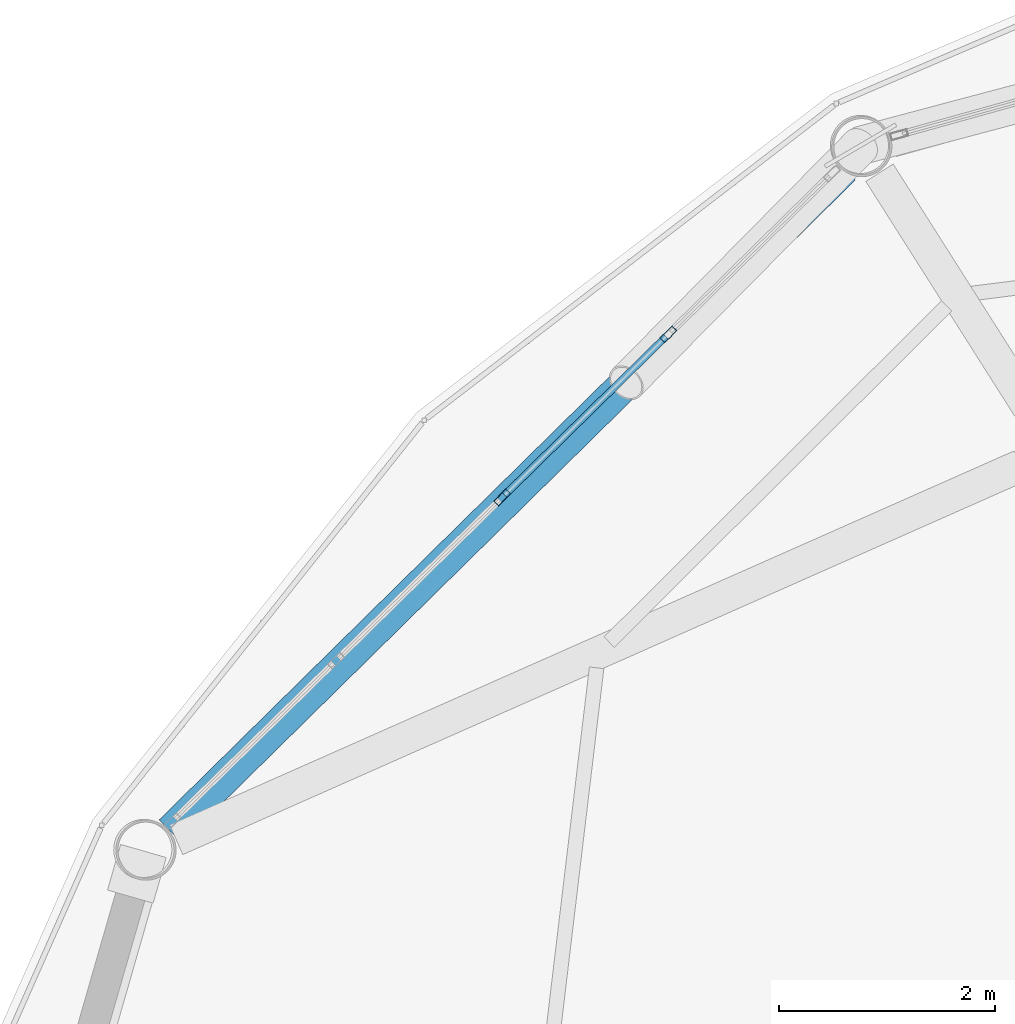
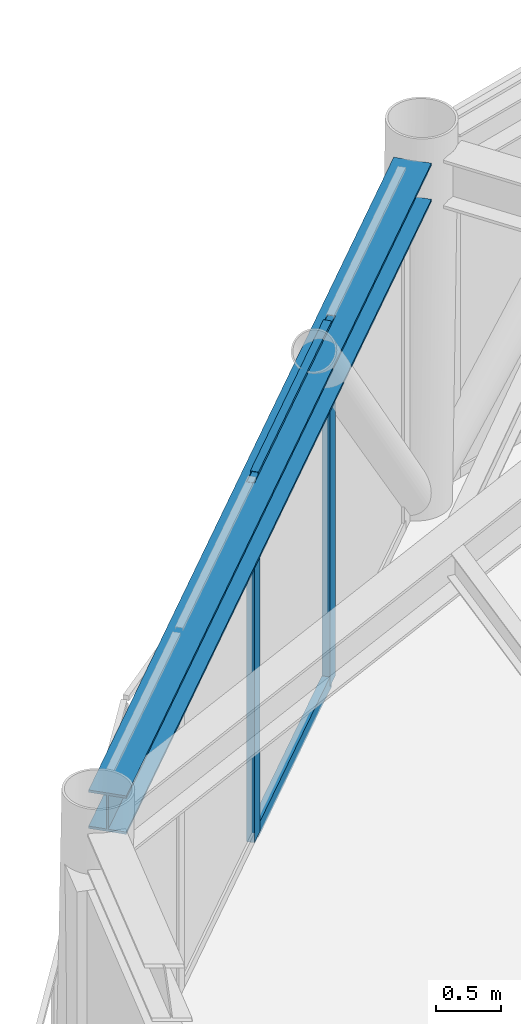
# One storey, part 12 of 25: 4 members, 1 beam, 1 element without a shape of its own.
"""IFC4 building model written with IfcOpenShell, lengths in metres."""

import ifcopenshell
import ifcopenshell.guid

model = None  # the IFC model being written
_history = None  # IfcOwnerHistory: only IFC2X3 demands one
_inside = {}  # id of a spatial element -> (the spatial element, [elements in it])
_under = {}  # id of a project, library or spatial element -> (it, [spatial elements below it])
_declared = {}  # id of a project -> (the project, [libraries it declares])
_typed = {}  # id of a type object -> (the type object, [elements of that type])
_made_of = {}  # id of a material, layer set ... -> (it, [elements and type objects made of it])


def new_model(schema):
    """Start an empty IFC model of exactly this schema.

    Asked for "IFC4X3", IfcOpenShell would pick the latest addendum, in which some entities
    have other attributes; the version numbers below select the first issue.
    IFC2X3 requires an IfcOwnerHistory on every rooted entity: one is made here for all.
    """
    global model, _history
    if schema == "IFC4X3":
        model = ifcopenshell.file(schema_version=(4, 3, 0, 0))
    else:
        model = ifcopenshell.file(schema=schema)
    _inside.clear()
    _under.clear()
    _declared.clear()
    _typed.clear()
    _made_of.clear()
    _history = None
    if model.schema == "IFC2X3":
        org = make("IfcOrganization", Name="unknown")
        user = make(
            "IfcPersonAndOrganization",
            ThePerson=make("IfcPerson", FamilyName="unknown"),
            TheOrganization=org,
        )
        app = make(
            "IfcApplication",
            ApplicationDeveloper=org,
            Version="unknown",
            ApplicationFullName="unknown",
            ApplicationIdentifier="unknown",
        )
        _history = make(
            "IfcOwnerHistory",
            OwningUser=user,
            OwningApplication=app,
            ChangeAction="ADDED",
            CreationDate=0,
        )
    return model


def make(cls, **values):
    """One entity of the class cls with the attributes given. An attribute that is None is left unset."""
    return model.create_entity(
        cls, **{name: value for name, value in values.items() if value is not None}
    )


def rooted(cls, **values):
    """An entity with a GlobalId (a new one), such as an element, a storey or a relation."""
    return make(cls, GlobalId=ifcopenshell.guid.new(), OwnerHistory=_history, **values)


def si_unit(unit_type, name, prefix=None):
    """IfcSIUnit, for example si_unit("LENGTHUNIT", "METRE", prefix="MILLI")."""
    return make("IfcSIUnit", UnitType=unit_type, Prefix=prefix, Name=name)


def assignment(units):
    """IfcUnitAssignment: the units of a project."""
    return None if units is None else make("IfcUnitAssignment", Units=units)


def point(xyz):
    """IfcCartesianPoint."""
    return None if xyz is None else make("IfcCartesianPoint", Coordinates=xyz)


def direction(xyz):
    """IfcDirection."""
    return None if xyz is None else make("IfcDirection", DirectionRatios=xyz)


def frame(location, z_axis=None, x_axis=None):
    """IfcAxis2Placement3D, a coordinate frame: its origin and axes. An axis left out is left unset."""
    return make(
        "IfcAxis2Placement3D",
        Location=point(location),
        Axis=direction(z_axis),
        RefDirection=direction(x_axis),
    )


def frame_2d(location, x_axis=None):
    """IfcAxis2Placement2D, a coordinate frame in the plane: its origin and x axis."""
    return make(
        "IfcAxis2Placement2D", Location=point(location), RefDirection=direction(x_axis)
    )


def origin():
    """The frame at (0, 0, 0) with its axes left unset."""
    return frame((0.0, 0.0, 0.0))


def origin_2d():
    """The frame at (0, 0) in the plane with its x axis left unset."""
    return frame_2d((0.0, 0.0))


def place(relative_to, where):
    """IfcLocalPlacement: puts the frame where relative to a parent placement (None: the world)."""
    return make(
        "IfcLocalPlacement", PlacementRelTo=relative_to, RelativePlacement=where
    )


def context(
    kind, dimensions, precision=None, world=None, true_north=None, identifier=None
):
    """IfcGeometricRepresentationContext, for example the 3D "Model" context."""
    return make(
        "IfcGeometricRepresentationContext",
        ContextIdentifier=identifier,
        ContextType=kind,
        CoordinateSpaceDimension=dimensions,
        Precision=precision,
        WorldCoordinateSystem=world,
        TrueNorth=true_north,
    )


def subcontext(parent, identifier, kind, view, scale=None):
    """IfcGeometricRepresentationSubContext, for example "Body" below "Model"."""
    return make(
        "IfcGeometricRepresentationSubContext",
        ContextIdentifier=identifier,
        ContextType=kind,
        ParentContext=parent,
        TargetScale=scale,
        TargetView=view,
    )


def project(units=None, contexts=None):
    """IfcProject with its units and contexts."""
    return rooted(
        "IfcProject",
        Name="project",
        RepresentationContexts=contexts,
        UnitsInContext=assignment(units),
    )


def spatial(cls, under=None, at=None, **own):
    """A site, building, storey or space (cls), placed at a placement, below another one or the project."""
    s = rooted(cls, ObjectPlacement=at, **own)
    if under is not None:
        _under.setdefault(under.id(), (under, []))[1].append(s)
    return s


def profile(cls, at=None, kind="AREA", **sizes):
    """A parametric profile (cls). Its sizes go by their IFC names, for example OverallWidth=200.0."""
    return make(cls, ProfileType=kind, Position=at, **sizes)


def hollow_rectangle(**sizes):
    """IfcRectangleHollowProfileDef."""
    return profile("IfcRectangleHollowProfileDef", **sizes)


def i_section(**sizes):
    """IfcIShapeProfileDef."""
    return profile("IfcIShapeProfileDef", **sizes)


def extrude(swept, where, along, depth):
    """IfcExtrudedAreaSolid: the profile swept, set in the frame where, extruded along a direction by depth."""
    return make(
        "IfcExtrudedAreaSolid",
        SweptArea=swept,
        Position=where,
        ExtrudedDirection=direction(along),
        Depth=depth,
    )


def shape(context_of_items, identifier, shape_type, items):
    """IfcShapeRepresentation: the items that make up one representation, for example the "Body"."""
    return make(
        "IfcShapeRepresentation",
        ContextOfItems=context_of_items,
        RepresentationIdentifier=identifier,
        RepresentationType=shape_type,
        Items=items,
    )


def material(Name=None, Category=None):
    """IfcMaterial."""
    return make("IfcMaterial", Name=Name, Category=Category)


def layer(
    of_material, thickness, ventilated=None, Name=None, Category=None, Priority=None
):
    """IfcMaterialLayer: one layer of a wall or slab, of a material (None: an air gap)."""
    return make(
        "IfcMaterialLayer",
        Material=of_material,
        LayerThickness=thickness,
        IsVentilated=ventilated,
        Name=Name,
        Category=Category,
        Priority=Priority,
    )


def layer_set(layers, Name=None):
    """IfcMaterialLayerSet."""
    return make("IfcMaterialLayerSet", MaterialLayers=layers, LayerSetName=Name)


def material_profile(
    of_material, cross_section, Name=None, Category=None, Priority=None
):
    """IfcMaterialProfile: a cross section and its material."""
    return make(
        "IfcMaterialProfile",
        Name=Name,
        Material=of_material,
        Profile=cross_section,
        Priority=Priority,
        Category=Category,
    )


def profile_set(profiles, Name=None, composite=None):
    """IfcMaterialProfileSet."""
    return make(
        "IfcMaterialProfileSet",
        Name=Name,
        MaterialProfiles=profiles,
        CompositeProfile=composite,
    )


def made_of(thing, what):
    """Note that an element or type object is made of a material, layer set ...; save() writes the relation."""
    if what is not None:
        _made_of.setdefault(what.id(), (what, []))[1].append(thing)
    return thing


def type_object(cls, material=None, **own):
    """A type object (cls), such as IfcWallType, which elements share."""
    return made_of(rooted(cls, **own), material)


def element(
    cls,
    number,
    at=None,
    inside=None,
    cuts=None,
    type_object=None,
    material=None,
    context=None,
    identifier="Body",
    shape_type=None,
    held_by="IfcProductDefinitionShape",
    body=None,
    shapes=None,
    **own,
):
    """One element of the class cls, such as IfcWall. Its Tag is "e" and its number.

    at: its placement. inside: the storey or other place that contains it. cuts: it is an
    opening in that element (IfcRelVoidsElement). A single representation is given by context,
    identifier, shape_type and body (its items); several are given by shapes. held_by: the class
    of the entity that holds the representations. save() writes the other relations.
    """
    e = rooted(cls, Tag="e%d" % number, ObjectPlacement=at, **own)
    if body is not None:
        shapes = [shape(context, identifier, shape_type, body)]
    if shapes is not None:
        e.Representation = make(held_by, Representations=shapes)
    if inside is not None:
        _inside.setdefault(inside.id(), (inside, []))[1].append(e)
    if cuts is not None:
        rooted(
            "IfcRelVoidsElement", RelatingBuildingElement=cuts, RelatedOpeningElement=e
        )
    if type_object is not None:
        _typed.setdefault(type_object.id(), (type_object, []))[1].append(e)
    return made_of(e, material)


def aggregate(whole, parts):
    """IfcRelAggregates: a whole, such as a stair, and the parts it consists of."""
    return rooted("IfcRelAggregates", RelatingObject=whole, RelatedObjects=parts)


def save(model, path):
    """Write the relations noted so far, then the file.

    IfcRelAggregates (storeys below a building ...), IfcRelContainedInSpatialStructure (elements
    in a storey), IfcRelDefinesByType, IfcRelAssociatesMaterial and IfcRelDeclares: one each for
    every whole, place, type object, material and project.
    """
    for whole, parts in _under.values():
        aggregate(whole, parts)
    for where, things in _inside.values():
        rooted(
            "IfcRelContainedInSpatialStructure",
            RelatedElements=things,
            RelatingStructure=where,
        )
    for kind, things in _typed.values():
        rooted("IfcRelDefinesByType", RelatedObjects=things, RelatingType=kind)
    for what, things in _made_of.values():
        rooted("IfcRelAssociatesMaterial", RelatedObjects=things, RelatingMaterial=what)
    for by, libraries in _declared.values():
        rooted("IfcRelDeclares", RelatingContext=by, RelatedDefinitions=libraries)
    model.write(path)


model = new_model("IFC4")

# Units and contexts
model_context = context("Model", 3, precision=1e-05, world=origin(), true_north=direction((0.0, 1.0)))
body_context = subcontext(model_context, "Body", "Model", "MODEL_VIEW")
ifc_project = project(units=[si_unit("LENGTHUNIT", "METRE"), si_unit("AREAUNIT", "SQUARE_METRE"), si_unit("VOLUMEUNIT", "CUBIC_METRE"), si_unit("PLANEANGLEUNIT", "RADIAN"), si_unit("MASSUNIT", "GRAM", prefix="KILO")], contexts=[model_context])

# Site, building, storey
site_placement = place(None, origin())
site = spatial("IfcSite", under=ifc_project, at=site_placement, CompositionType="ELEMENT")
building_placement = place(site_placement, origin())
building = spatial("IfcBuilding", under=site, at=building_placement, Name="Varnakorn Sky Granary", CompositionType="ELEMENT")
storey_placement = place(building_placement, frame((0.0, 0.0, 259.800048828125)))
storey = spatial("IfcBuildingStorey", under=building, at=storey_placement, Name="L66", CompositionType="ELEMENT", Elevation=259.800048828125)

# Beam
ifc_material_1 = material(Name="Steel S355JR", Category="steel")
ifc_material_profile_1 = material_profile(ifc_material_1, i_section(OverallWidth=0.300048828125, OverallDepth=0.360107421875, WebThickness=0.012451171875, FlangeThickness=0.0224609375, at=origin_2d()), Name="HE 360 B")
ifc_profile_set_1 = profile_set([ifc_material_profile_1], Name="Steel S355JR")
beam_type = type_object("IfcBeamType", Name="BM-SPD-Z5", PredefinedType="SPANDREL", material=ifc_profile_set_1)
beam_placement = place(storey_placement, frame((-4.383056640625, 15.2314453125, 3.179931640625), z_axis=(-0.712727559125, -0.701440964347, 0.0), x_axis=(0.701440964347, -0.712727559125, 0.0)))
element("IfcBeam", 1, at=beam_placement, inside=storey, type_object=beam_type, Name="Perimeter Spandrel Ring Beam RB05 L66", PredefinedType="SPANDREL", context=body_context, shape_type="SweptSolid", body=[
    extrude(i_section(OverallWidth=0.300048828125, OverallDepth=0.360107421875, WebThickness=0.012451171875, FlangeThickness=0.0224609375, at=origin_2d()), origin(), (0.0, 0.0, 1.0), 8.760498046875),
])

# Curtain wall, members
ifc_material_2 = material(Name="Anodised Bronze Aluminium Alloy 6063-T6", Category="aluminium")
ifc_layer = layer(ifc_material_2, 0.159912109375, Name="Anodised Bronze Aluminium Alloy 6063-T6")
ifc_layer_set = layer_set([ifc_layer], Name="Anodised Bronze Aluminium Alloy 6063-T6")
curtain_wall_type = type_object("IfcCurtainWallType", Name="CW-OFF-1", PredefinedType="USERDEFINED", material=ifc_layer_set)
curtain_wall_placement = place(storey_placement, origin())
curtain_wall = element("IfcCurtainWall", 2, at=curtain_wall_placement, inside=storey, type_object=curtain_wall_type, Name="Unitised Curtain Wall CW6 CW-L66-B05", ObjectType="CURTAIN WALL", PredefinedType="USERDEFINED")
ifc_material_profile_2 = material_profile(ifc_material_2, hollow_rectangle(XDim=0.06494140625, YDim=0.159912109375, WallThickness=0.00341796875, at=origin_2d()), Name="ALU MULL 65x160")
ifc_profile_set_2 = profile_set([ifc_material_profile_2], Name="Anodised Bronze Aluminium Alloy 6063-T6")
member_type_1 = type_object("IfcMemberType", Name="CW-OFF-1-MULL", PredefinedType="MULLION", material=ifc_profile_set_2)
member_1_placement = place(storey_placement, frame((-7.551513671875, 12.18212890625, 0.0), z_axis=(0.0, 0.0, 1.0), x_axis=(-0.700774417108, 0.713382938068, 0.0)))
member_1 = element("IfcMember", 3, at=member_1_placement, type_object=member_type_1, Name="CW6 mullion 3", PredefinedType="MULLION", context=body_context, shape_type="SweptSolid", body=[
    extrude(hollow_rectangle(XDim=0.06494140625, YDim=0.159912109375, WallThickness=0.00341796875, at=origin_2d()), origin(), (0.0, 0.0, 1.0), 3.35986328125),
])
member_2_placement = place(storey_placement, frame((-6.010986328125, 13.6953125, 0.0), z_axis=(0.0, 0.0, 1.0), x_axis=(-0.700774417108, 0.713382938068, 0.0)))
member_2 = element("IfcMember", 4, at=member_2_placement, type_object=member_type_1, Name="CW6 mullion 4", PredefinedType="MULLION", context=body_context, shape_type="SweptSolid", body=[
    extrude(hollow_rectangle(XDim=0.06494140625, YDim=0.159912109375, WallThickness=0.00341796875, at=origin_2d()), origin(), (0.0, 0.0, 1.0), 3.35986328125),
])
ifc_material_profile_3 = material_profile(ifc_material_2, hollow_rectangle(XDim=0.06494140625, YDim=0.1201171875, WallThickness=0.00341796875, at=origin_2d()), Name="ALU TRAN 65x120")
ifc_profile_set_3 = profile_set([ifc_material_profile_3], Name="Anodised Bronze Aluminium Alloy 6063-T6")
member_type_2 = type_object("IfcMemberType", Name="CW-OFF-1-TRAN", PredefinedType="USERDEFINED", material=ifc_profile_set_3)
member_3_placement = place(storey_placement, frame((-7.5283203125, 12.205078125, 0.032470703125), z_axis=(0.713431509714, 0.70072496812, 0.0), x_axis=(-0.70072496812, 0.713431509714, 0.0)))
member_3 = element("IfcMember", 5, at=member_3_placement, type_object=member_type_2, Name="CW6 transom 3.1", ObjectType="TRANSOM", PredefinedType="USERDEFINED", context=body_context, shape_type="SweptSolid", body=[
    extrude(hollow_rectangle(XDim=0.06494140625, YDim=0.1201171875, WallThickness=0.00341796875, at=origin_2d()), origin(), (0.0, 0.0, 1.0), 2.09423828125),
])
member_4_placement = place(storey_placement, frame((-7.5283203125, 12.205078125, 3.327392578125), z_axis=(0.713431509714, 0.70072496812, 0.0), x_axis=(-0.70072496812, 0.713431509714, 0.0)))
member_4 = element("IfcMember", 6, at=member_4_placement, type_object=member_type_2, Name="CW6 transom 3.2", ObjectType="TRANSOM", PredefinedType="USERDEFINED", context=body_context, shape_type="SweptSolid", body=[
    extrude(hollow_rectangle(XDim=0.06494140625, YDim=0.1201171875, WallThickness=0.00341796875, at=origin_2d()), origin(), (0.0, 0.0, 1.0), 2.09423828125),
])
aggregate(curtain_wall, [member_1, member_2, member_3, member_4])

save(model, "model.ifc")
